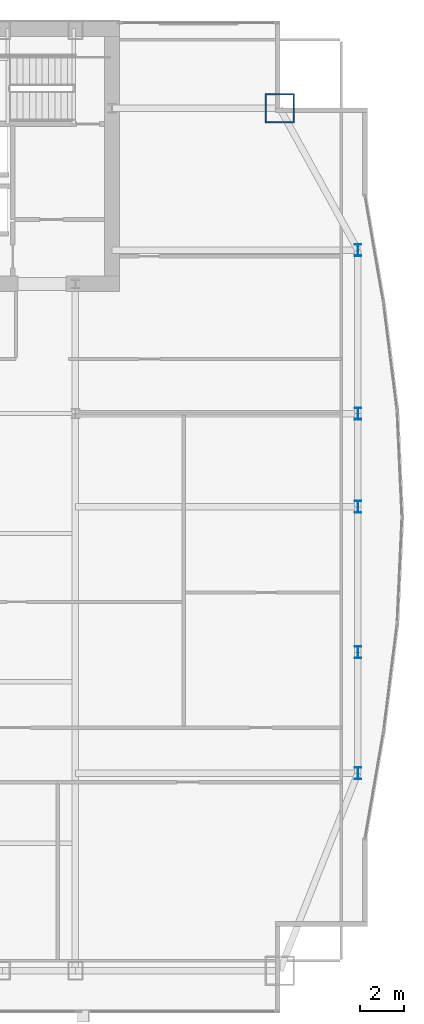
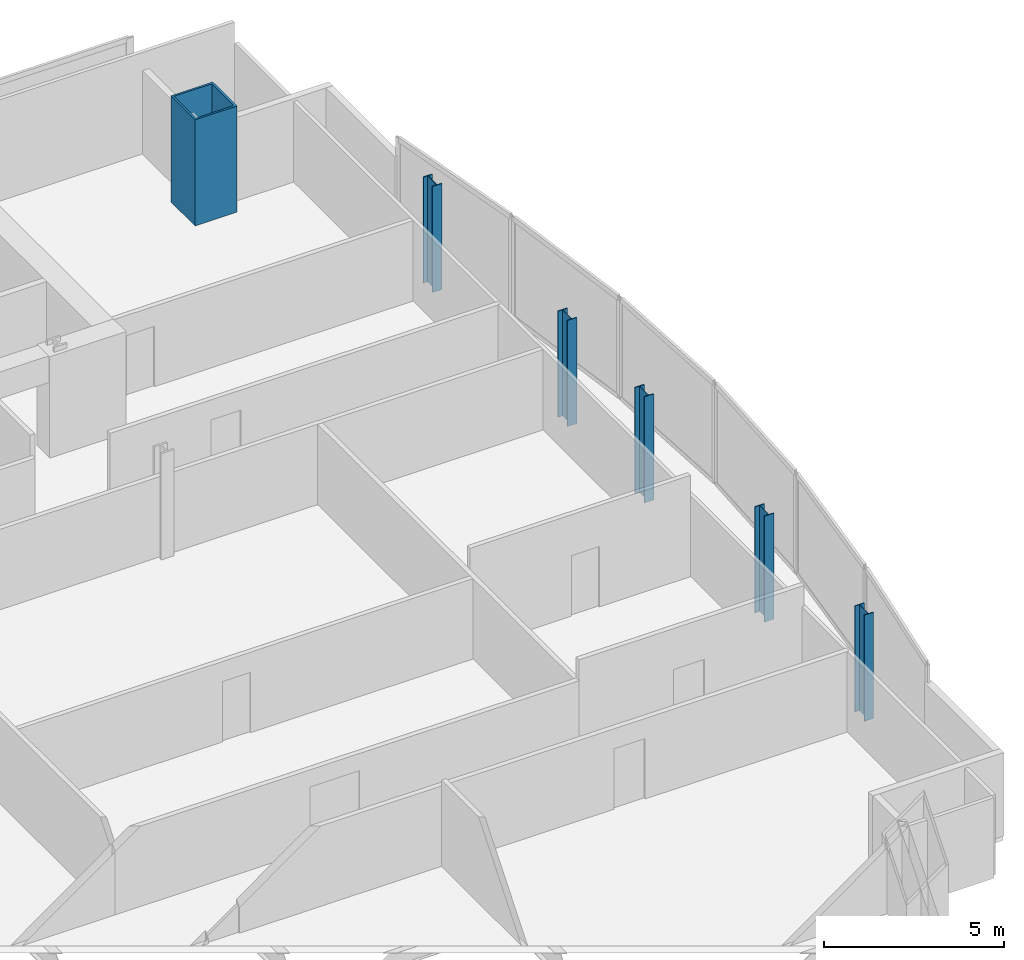
# One storey, part 4 of 29: 6 columns.
"""IFC4 building model written with IfcOpenShell, lengths in metres."""

from ifc_helpers import new_model, si_unit, direction, frame, origin, origin_2d, place, context, subcontext, project, spatial, hollow_rectangle, i_section, extrude, material, material_profile, profile_set, type_object, element, save


model = new_model("IFC4")

# Units and contexts
model_context = context("Model", 3, precision=1e-05, world=origin(), true_north=direction((0.0, 1.0)))
body_context = subcontext(model_context, "Body", "Model", "MODEL_VIEW")
ifc_project = project(units=[si_unit("LENGTHUNIT", "METRE"), si_unit("AREAUNIT", "SQUARE_METRE"), si_unit("VOLUMEUNIT", "CUBIC_METRE"), si_unit("PLANEANGLEUNIT", "RADIAN"), si_unit("MASSUNIT", "GRAM", prefix="KILO")], contexts=[model_context])

# Site, building, storey
site_placement = place(None, origin())
site = spatial("IfcSite", under=ifc_project, at=site_placement, CompositionType="ELEMENT")
building_placement = place(site_placement, origin())
building = spatial("IfcBuilding", under=site, at=building_placement, Name="Khoronbel Lancet Exchange", CompositionType="ELEMENT")
storey_placement = place(building_placement, frame((0.0, 0.0, 150.60009765625)))
storey = spatial("IfcBuildingStorey", under=building, at=storey_placement, Name="L37", CompositionType="ELEMENT", Elevation=150.60009765625)

# Columns
ifc_material_1 = material(Name="Steel S355", Category="steel")
ifc_material_profile_1 = material_profile(ifc_material_1, i_section(OverallWidth=0.300048828125, OverallDepth=0.550048828125, WebThickness=0.014892578125, FlangeThickness=0.029052734375, at=origin_2d()), Name="HEB 550")
ifc_profile_set_1 = profile_set([ifc_material_profile_1], Name="Steel S355")
column_type_1 = type_object("IfcColumnType", Name="COL-LC1", PredefinedType="COLUMN", material=ifc_profile_set_1)
for number, where, z_axis, x_axis, name in (
    (1, (67.6298828125, 19.199951171875, 0.0), (0.0, 0.0, 1.0), (1.0, 0.0, 0.0), "Structural column EC-1 L37"),
    (2, (67.6298828125, 24.75, 0.0), (0.0, 0.0, 1.0), (1.0, 0.0, 0.0), "Structural column EC-2 L37"),
    (3, (67.6298828125, 31.425048828125, 0.0), (0.0, 0.0, 1.0), (1.0, 0.0, 0.0), "Structural column EC-M L37"),
    (4, (67.6298828125, 35.699951171875, 0.0), (0.0, 0.0, 1.0), (1.0, 0.0, 0.0), "Structural column EC-3 L37"),
    (5, (67.6298828125, 43.199951171875, 0.0), (0.0, 0.0, 1.0), (1.0, 0.0, 0.0), "Structural column EC-4 L37"),
):
    element("IfcColumn", number, at=place(storey_placement, frame(where, z_axis=z_axis, x_axis=x_axis)), inside=storey, type_object=column_type_1, Name=name, PredefinedType="COLUMN", context=body_context, shape_type="SweptSolid", body=[
        extrude(i_section(OverallWidth=0.300048828125, OverallDepth=0.550048828125, WebThickness=0.014892578125, FlangeThickness=0.029052734375, at=origin_2d()), origin(), (0.0, 0.0, 1.0), 3.599853515625),
    ])
ifc_material_2 = material(Name="Steel S460", Category="steel")
ifc_material_profile_2 = material_profile(ifc_material_2, hollow_rectangle(XDim=1.35009765625, YDim=1.35009765625, WallThickness=0.06494140625, at=origin_2d()), Name="BOX 1350x1350x65")
ifc_profile_set_2 = profile_set([ifc_material_profile_2], Name="Steel S460")
column_type_2 = type_object("IfcColumnType", Name="COL-MC4", PredefinedType="COLUMN", material=ifc_profile_set_2)
column_placement = place(storey_placement, frame((64.050048828125, 49.699951171875, 0.0), z_axis=(0.0, 0.0, 1.0), x_axis=(1.0, 0.0, 0.0)))
element("IfcColumn", 6, at=column_placement, inside=storey, type_object=column_type_2, Name="Structural column MC-NE L37", PredefinedType="COLUMN", context=body_context, shape_type="SweptSolid", body=[
    extrude(hollow_rectangle(XDim=1.35009765625, YDim=1.35009765625, WallThickness=0.06494140625, at=origin_2d()), origin(), (0.0, 0.0, 1.0), 3.599853515625),
])

save(model, "model.ifc")
